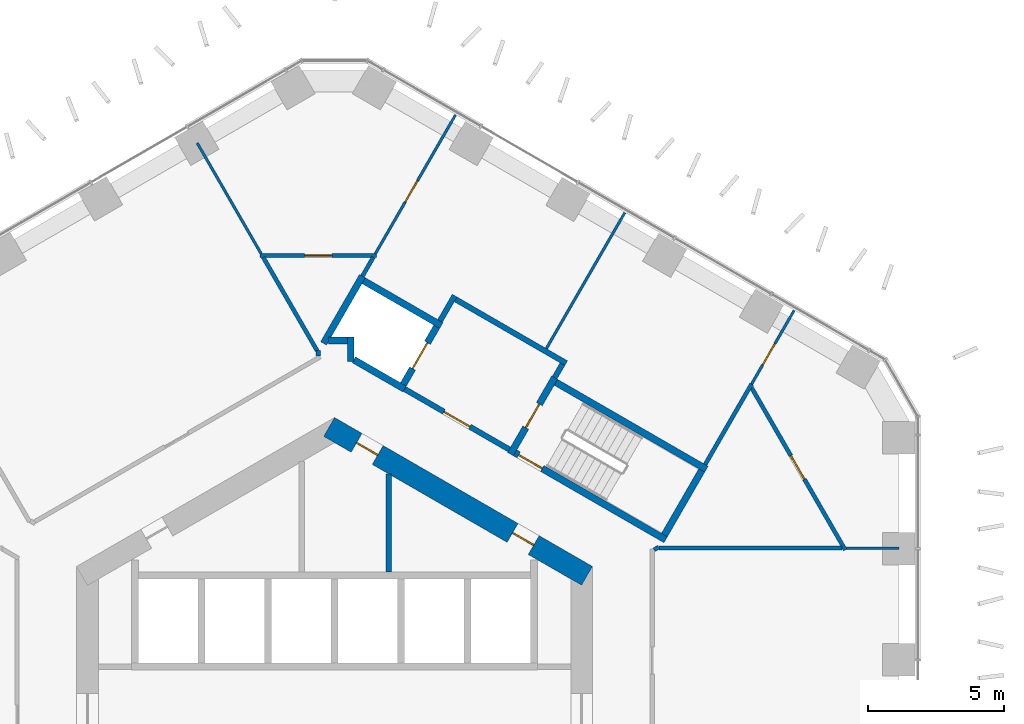
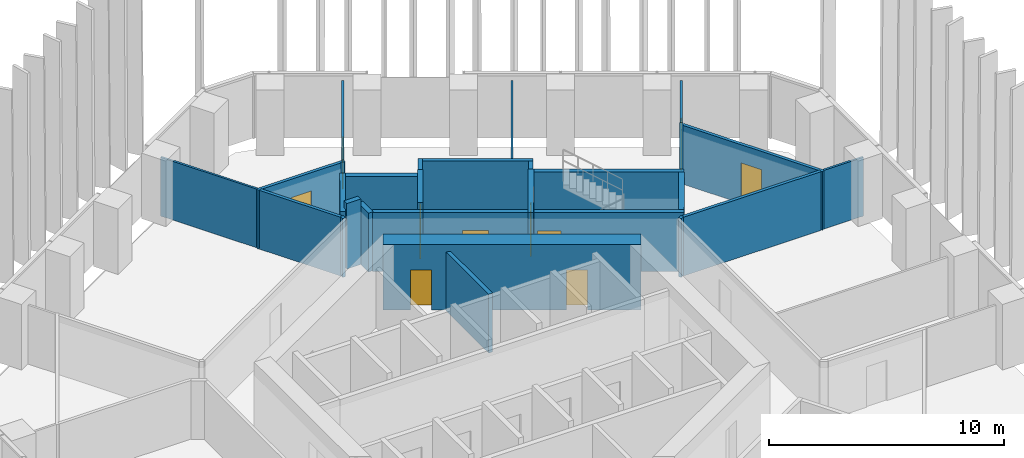
# One storey, part 14 of 18: 29 walls, 10 doors, 10 openings.
"""IFC4 building model written with IfcOpenShell, lengths in metres."""

from ifc_helpers import new_model, si_unit, direction, frame, frame_2d, origin, place, context, subcontext, project, spatial, rectangle, extrude, material, layer, layer_set, type_object, element, fill, save


model = new_model("IFC4")

# Units and contexts
model_context = context("Model", 3, precision=1e-05, world=origin(), true_north=direction((0.0, 1.0)))
body_context = subcontext(model_context, "Body", "Model", "MODEL_VIEW")
ifc_project = project(units=[si_unit("LENGTHUNIT", "METRE"), si_unit("AREAUNIT", "SQUARE_METRE"), si_unit("VOLUMEUNIT", "CUBIC_METRE"), si_unit("PLANEANGLEUNIT", "RADIAN"), si_unit("MASSUNIT", "GRAM", prefix="KILO")], contexts=[model_context])

# Site, building, storey
site_placement = place(None, origin())
site = spatial("IfcSite", under=ifc_project, at=site_placement, CompositionType="ELEMENT")
building_placement = place(site_placement, origin())
building = spatial("IfcBuilding", under=site, at=building_placement, Name="Ayvan Gate Tower", CompositionType="ELEMENT")
storey_placement = place(building_placement, frame((0.0, 0.0, 25.5)))
storey = spatial("IfcBuildingStorey", under=building, at=storey_placement, Name="L05", CompositionType="ELEMENT", Elevation=25.5)

# Wall, openings, doors
ifc_material_1 = material(Name="Concrete C70/85", Category="concrete")
ifc_layer_1 = layer(ifc_material_1, 0.800048828125)
ifc_layer_set_1 = layer_set([ifc_layer_1], Name="Concrete C70/85")
wall_type_1 = type_object("IfcWallType", Name="Core wall 800 C70/85", PredefinedType="SHEAR", material=ifc_layer_set_1)
wall_1_placement = place(storey_placement, frame((9.300048828125, 5.138427734375, 0.0), z_axis=(0.0, 0.0, 1.0), x_axis=(-0.866023993627, 0.500002442456, 0.0)))
wall_1 = element("IfcWall", 1, at=wall_1_placement, inside=storey, type_object=wall_type_1, Name="CORE-L05-1", PredefinedType="SHEAR", context=body_context, shape_type="SweptSolid", body=[
    extrude(rectangle(XDim=10.9697265625, YDim=0.800048828125, at=frame_2d((5.48486328125, 0.0))), origin(), (0.0, 0.0, 1.0), 3.39990234375),
])
opening_1_placement = place(wall_1_placement, frame((8.902587890625, 0.0, 0.0)))
opening_1 = element("IfcOpeningElement", 2, at=opening_1_placement, cuts=wall_1, Name="Opening L05-D31", PredefinedType="OPENING", context=body_context, shape_type="SweptSolid", body=[
    extrude(rectangle(XDim=0.89990234375, YDim=2.10009765625, at=frame_2d((0.449951171875, 1.050048828125))), frame((0.0, 0.409912109375, 0.0), z_axis=(0.0, -1.0, 0.0), x_axis=(1.0, 0.0, 0.0)), (0.0, 0.0, 1.0), 0.820068359375),
])
opening_2_placement = place(wall_1_placement, frame((2.268798828125, 0.0, 0.0)))
opening_2 = element("IfcOpeningElement", 3, at=opening_2_placement, cuts=wall_1, Name="Opening L05-D32", PredefinedType="OPENING", context=body_context, shape_type="SweptSolid", body=[
    extrude(rectangle(XDim=0.89990234375, YDim=2.10009765625, at=frame_2d((0.449951171875, 1.050048828125))), frame((0.0, 0.409912109375, 0.0), z_axis=(0.0, -1.0, 0.0), x_axis=(1.0, 0.0, 0.0)), (0.0, 0.0, 1.0), 0.820068359375),
])
ifc_material_2 = material(Name="Timber door leaf", Category="wood")
door_type_1 = type_object("IfcDoorType", Name="DT-900", OperationType="NOTDEFINED", PredefinedType="DOOR", material=ifc_material_2)
door_1_placement = place(opening_1_placement, origin())
door_1 = element("IfcDoor", 4, at=door_1_placement, inside=storey, type_object=door_type_1, Name="CD-L05-31", OperationType="SINGLE_SWING_RIGHT", OverallHeight=2.10009765625, OverallWidth=0.89990234375, PredefinedType="DOOR", context=body_context, shape_type="SweptSolid", body=[
    extrude(rectangle(XDim=0.89990234375, YDim=2.10009765625, at=frame_2d((0.449951171875, 1.050048828125))), frame((0.0, 0.02490234375, 0.0), z_axis=(0.0, -1.0, 0.0), x_axis=(1.0, 0.0, 0.0)), (0.0, 0.0, 1.0), 0.050048828125),
])
fill(opening_1, door_1)
door_2_placement = place(opening_2_placement, origin())
door_2 = element("IfcDoor", 5, at=door_2_placement, inside=storey, type_object=door_type_1, Name="CD-L05-32", OperationType="SINGLE_SWING_LEFT", OverallHeight=2.10009765625, OverallWidth=0.89990234375, PredefinedType="DOOR", context=body_context, shape_type="SweptSolid", body=[
    extrude(rectangle(XDim=0.89990234375, YDim=2.10009765625, at=frame_2d((0.449951171875, 1.050048828125))), frame((0.0, 0.02490234375, 0.0), z_axis=(0.0, -1.0, 0.0), x_axis=(1.0, 0.0, 0.0)), (0.0, 0.0, 1.0), 0.050048828125),
])
fill(opening_2, door_2)

# Wall, opening, door
ifc_material_3 = material(Name="Plasterboard on steel stud", Category="steel")
ifc_layer_2 = layer(ifc_material_3, 0.14990234375)
ifc_layer_set_2 = layer_set([ifc_layer_2], Name="Plasterboard on steel stud")
wall_type_2 = type_object("IfcWallType", Name="WT-CORR-150", PredefinedType="PARTITIONING", material=ifc_layer_set_2)
wall_2_placement = place(storey_placement, frame((-2.739013671875, 16.935791015625, 0.0), z_axis=(0.0, 0.0, 1.0), x_axis=(1.0, 0.0, 0.0)))
wall_2 = element("IfcWall", 6, at=wall_2_placement, inside=storey, type_object=wall_type_2, Name="IW-L05-040", PredefinedType="PARTITIONING", context=body_context, shape_type="SweptSolid", body=[
    extrude(rectangle(XDim=4.278076171875, YDim=0.14990234375, at=frame_2d((2.13916015625, 0.0))), origin(), (0.0, 0.0, 1.0), 3.050048828125),
])
opening_3_placement = place(wall_2_placement, frame((1.63916015625, 0.0, 0.0)))
opening_3 = element("IfcOpeningElement", 7, at=opening_3_placement, cuts=wall_2, Name="Opening L05-D21", PredefinedType="OPENING", context=body_context, shape_type="SweptSolid", body=[
    extrude(rectangle(XDim=1.0, YDim=2.10009765625, at=frame_2d((0.5, 1.050048828125))), frame((0.0, 0.0849609375, 0.0), z_axis=(0.0, -1.0, 0.0), x_axis=(1.0, 0.0, 0.0)), (0.0, 0.0, 1.0), 0.169921875),
])
door_type_2 = type_object("IfcDoorType", Name="DT-1000", OperationType="NOTDEFINED", PredefinedType="DOOR", material=ifc_material_2)
door_3_placement = place(opening_3_placement, origin())
door_3 = element("IfcDoor", 8, at=door_3_placement, inside=storey, type_object=door_type_2, Name="ID-L05-021", OperationType="SINGLE_SWING_RIGHT", OverallHeight=2.10009765625, OverallWidth=1.0, PredefinedType="DOOR", context=body_context, shape_type="SweptSolid", body=[
    extrude(rectangle(XDim=1.0, YDim=2.10009765625, at=frame_2d((0.5, 1.050048828125))), frame((0.0, 0.02490234375, 0.0), z_axis=(0.0, -1.0, 0.0), x_axis=(1.0, 0.0, 0.0)), (0.0, 0.0, 1.0), 0.050048828125),
])
fill(opening_3, door_3)

# Walls
wall_3_placement = place(storey_placement, frame((-0.60009765625, 13.238525390625, 0.0), z_axis=(0.0, 0.0, 1.0), x_axis=(0.0, 1.0, 0.0)))
element("IfcWall", 9, at=wall_3_placement, inside=storey, type_object=wall_type_2, Name="IW-L05-050", PredefinedType="PARTITIONING", context=body_context, shape_type="SweptSolid", body=[
    extrude(rectangle(XDim=0.197265625, YDim=0.14990234375, at=frame_2d((0.0986328125, 0.0))), origin(), (0.0, 0.0, 1.0), 3.050048828125),
])
wall_4_placement = place(storey_placement, frame((-0.637451171875, 13.42578125, 0.0), z_axis=(0.0, 0.0, 1.0), x_axis=(-0.500046503579, 0.865998553266, 0.0)))
element("IfcWall", 10, at=wall_4_placement, inside=storey, type_object=wall_type_2, Name="IW-L05-051", PredefinedType="PARTITIONING", context=body_context, shape_type="SweptSolid", body=[
    extrude(rectangle(XDim=3.97802734375, YDim=0.14990234375, at=frame_2d((1.989013671875, 0.0))), origin(), (0.0, 0.0, 1.0), 3.050048828125),
])
wall_5_placement = place(storey_placement, frame((1.426513671875, 16.870849609375, 0.0), z_axis=(0.0, 0.0, 1.0), x_axis=(-0.499951716245, -0.866053278629, 0.0)))
element("IfcWall", 11, at=wall_5_placement, inside=storey, type_object=wall_type_2, Name="IW-L05-060", PredefinedType="PARTITIONING", context=body_context, shape_type="SweptSolid", body=[
    extrude(rectangle(XDim=0.798828125, YDim=0.14990234375, at=frame_2d((0.3994140625, 0.0))), origin(), (0.0, 0.0, 1.0), 3.050048828125),
])
wall_6_placement = place(storey_placement, frame((11.935791015625, 6.1982421875, 0.0), z_axis=(0.0, 0.0, 1.0), x_axis=(-0.866103179807, -0.499865263774, 0.0)))
element("IfcWall", 12, at=wall_6_placement, inside=storey, type_object=wall_type_2, Name="IW-L05-098", PredefinedType="PARTITIONING", context=body_context, shape_type="SweptSolid", body=[
    extrude(rectangle(XDim=0.197265625, YDim=0.14990234375, at=frame_2d((0.0986328125, 0.0))), origin(), (0.0, 0.0, 1.0), 3.050048828125),
])
wall_7_placement = place(storey_placement, frame((13.647705078125, 9.23876953125, 0.0), z_axis=(0.0, 0.0, 1.0), x_axis=(0.500000491645, 0.866025119933, 0.0)))
element("IfcWall", 13, at=wall_7_placement, inside=storey, type_object=wall_type_2, Name="IW-L05-101", PredefinedType="PARTITIONING", context=body_context, shape_type="SweptSolid", body=[
    extrude(rectangle(XDim=3.42041015625, YDim=0.14990234375, at=frame_2d((1.710205078125, 0.0))), origin(), (0.0, 0.0, 1.0), 3.050048828125),
])

# Wall, opening, door
wall_8_placement = place(storey_placement, frame((15.35791015625, 12.07080078125, 0.0), z_axis=(0.0, 0.0, 1.0), x_axis=(0.500024667842, -0.866011161331, 0.0)))
wall_8 = element("IfcWall", 14, at=wall_8_placement, inside=storey, type_object=wall_type_2, Name="IW-L05-104", PredefinedType="PARTITIONING", context=body_context, shape_type="SweptSolid", body=[
    extrude(rectangle(XDim=6.899658203125, YDim=0.14990234375, at=frame_2d((3.44970703125, 0.0))), origin(), (0.0, 0.0, 1.0), 3.050048828125),
])
opening_4_placement = place(wall_8_placement, frame((2.89501953125, 0.0, 0.0)))
opening_4 = element("IfcOpeningElement", 15, at=opening_4_placement, cuts=wall_8, Name="Opening L05-D19", PredefinedType="OPENING", context=body_context, shape_type="SweptSolid", body=[
    extrude(rectangle(XDim=1.0, YDim=2.10009765625, at=frame_2d((0.5, 1.050048828125))), frame((0.0, 0.0849609375, 0.0), z_axis=(0.0, -1.0, 0.0), x_axis=(1.0, 0.0, 0.0)), (0.0, 0.0, 1.0), 0.169921875),
])
door_4_placement = place(opening_4_placement, origin())
door_4 = element("IfcDoor", 16, at=door_4_placement, inside=storey, type_object=door_type_2, Name="ID-L05-019", OperationType="SINGLE_SWING_RIGHT", OverallHeight=2.10009765625, OverallWidth=1.0, PredefinedType="DOOR", context=body_context, shape_type="SweptSolid", body=[
    extrude(rectangle(XDim=1.0, YDim=2.10009765625, at=frame_2d((0.5, 1.050048828125))), frame((0.0, 0.02490234375, 0.0), z_axis=(0.0, -1.0, 0.0), x_axis=(1.0, 0.0, 0.0)), (0.0, 0.0, 1.0), 0.050048828125),
])
fill(opening_4, door_4)

# Walls
wall_9_placement = place(storey_placement, frame((18.6953125, 6.160888671875, 0.0), z_axis=(0.0, 0.0, 1.0), x_axis=(-1.0, 0.0, 0.0)))
element("IfcWall", 17, at=wall_9_placement, inside=storey, type_object=wall_type_2, Name="IW-L05-107", PredefinedType="PARTITIONING", context=body_context, shape_type="SweptSolid", body=[
    extrude(rectangle(XDim=6.74951171875, YDim=0.14990234375, at=frame_2d((3.374755859375, 0.0))), origin(), (0.0, 0.0, 1.0), 3.050048828125),
])
ifc_layer_3 = layer(ifc_material_3, 0.10009765625)
ifc_layer_set_3 = layer_set([ifc_layer_3], Name="Plasterboard on steel stud")
wall_type_3 = type_object("IfcWallType", Name="WT-PART-100", PredefinedType="PARTITIONING", material=ifc_layer_set_3)
wall_10_placement = place(storey_placement, frame((-2.70166015625, 17.0009765625, 0.0), z_axis=(0.0, 0.0, 1.0), x_axis=(-0.500002112793, 0.866024183959, 0.0)))
element("IfcWall", 18, at=wall_10_placement, inside=storey, type_object=wall_type_3, Name="IW-L05-039", PredefinedType="PARTITIONING", context=body_context, shape_type="SweptSolid", body=[
    extrude(rectangle(XDim=4.71044921875, YDim=0.10009765625, at=frame_2d((2.355224609375, 0.0))), origin(), (0.0, 0.0, 1.0), 3.050048828125),
])

# Wall, opening, door
wall_11_placement = place(storey_placement, frame((4.454833984375, 22.1162109375, 0.0), z_axis=(0.0, 0.0, 1.0), x_axis=(-0.499980071345, -0.866036909293, 0.0)))
wall_11 = element("IfcWall", 19, at=wall_11_placement, inside=storey, type_object=wall_type_3, Name="IW-L05-071", PredefinedType="PARTITIONING", context=body_context, shape_type="SweptSolid", body=[
    extrude(rectangle(XDim=5.906494140625, YDim=0.10009765625, at=frame_2d((2.953125, 0.0))), origin(), (0.0, 0.0, 1.0), 3.050048828125),
])
opening_5_placement = place(wall_11_placement, frame((2.80126953125, 0.0, 0.0)))
opening_5 = element("IfcOpeningElement", 20, at=opening_5_placement, cuts=wall_11, Name="Opening L05-D22", PredefinedType="OPENING", context=body_context, shape_type="SweptSolid", body=[
    extrude(rectangle(XDim=0.89990234375, YDim=2.10009765625, at=frame_2d((0.449951171875, 1.050048828125))), frame((0.0, 0.06005859375, 0.0), z_axis=(0.0, -1.0, 0.0), x_axis=(1.0, 0.0, 0.0)), (0.0, 0.0, 1.0), 0.1201171875),
])
door_5_placement = place(opening_5_placement, origin())
door_5 = element("IfcDoor", 21, at=door_5_placement, inside=storey, type_object=door_type_1, Name="ID-L05-022", OperationType="SINGLE_SWING_LEFT", OverallHeight=2.10009765625, OverallWidth=0.89990234375, PredefinedType="DOOR", context=body_context, shape_type="SweptSolid", body=[
    extrude(rectangle(XDim=0.89990234375, YDim=2.10009765625, at=frame_2d((0.449951171875, 1.050048828125))), frame((0.0, 0.02490234375, 0.0), z_axis=(0.0, -1.0, 0.0), x_axis=(1.0, 0.0, 0.0)), (0.0, 0.0, 1.0), 0.050048828125),
])
fill(opening_5, door_5)

# Wall
wall_12_placement = place(storey_placement, frame((7.800048828125, 13.510009765625, 0.0), z_axis=(0.0, 0.0, 1.0), x_axis=(0.499982030767, 0.866035778077, 0.0)))
element("IfcWall", 22, at=wall_12_placement, inside=storey, type_object=wall_type_3, Name="IW-L05-083", PredefinedType="PARTITIONING", context=body_context, shape_type="SweptSolid", body=[
    extrude(rectangle(XDim=5.780517578125, YDim=0.10009765625, at=frame_2d((2.89013671875, 0.0))), origin(), (0.0, 0.0, 1.0), 3.050048828125),
])

# Wall, opening, door
wall_13_placement = place(storey_placement, frame((15.35791015625, 12.200927734375, 0.0), z_axis=(0.0, 0.0, 1.0), x_axis=(0.500041479787, 0.866001454094, 0.0)))
wall_13 = element("IfcWall", 23, at=wall_13_placement, inside=storey, type_object=wall_type_3, Name="IW-L05-103", PredefinedType="PARTITIONING", context=body_context, shape_type="SweptSolid", body=[
    extrude(rectangle(XDim=3.135498046875, YDim=0.10009765625, at=frame_2d((1.56787109375, 0.0))), origin(), (0.0, 0.0, 1.0), 3.050048828125),
])
opening_6_placement = place(wall_13_placement, frame((0.819580078125, 0.0, 0.0)))
opening_6 = element("IfcOpeningElement", 24, at=opening_6_placement, cuts=wall_13, Name="Opening L05-D20", PredefinedType="OPENING", context=body_context, shape_type="SweptSolid", body=[
    extrude(rectangle(XDim=0.89990234375, YDim=2.10009765625, at=frame_2d((0.449951171875, 1.050048828125))), frame((0.0, 0.06005859375, 0.0), z_axis=(0.0, -1.0, 0.0), x_axis=(1.0, 0.0, 0.0)), (0.0, 0.0, 1.0), 0.1201171875),
])
door_6_placement = place(opening_6_placement, origin())
door_6 = element("IfcDoor", 25, at=door_6_placement, inside=storey, type_object=door_type_1, Name="ID-L05-020", OperationType="SINGLE_SWING_LEFT", OverallHeight=2.10009765625, OverallWidth=0.89990234375, PredefinedType="DOOR", context=body_context, shape_type="SweptSolid", body=[
    extrude(rectangle(XDim=0.89990234375, YDim=2.10009765625, at=frame_2d((0.449951171875, 1.050048828125))), frame((0.0, 0.02490234375, 0.0), z_axis=(0.0, -1.0, 0.0), x_axis=(1.0, 0.0, 0.0)), (0.0, 0.0, 1.0), 0.050048828125),
])
fill(opening_6, door_6)

# Walls
wall_14_placement = place(storey_placement, frame((18.84521484375, 6.160888671875, 0.0), z_axis=(0.0, 0.0, 1.0), x_axis=(1.0, 0.0, 0.0)))
element("IfcWall", 26, at=wall_14_placement, inside=storey, type_object=wall_type_3, Name="IW-L05-106", PredefinedType="PARTITIONING", context=body_context, shape_type="SweptSolid", body=[
    extrude(rectangle(XDim=1.939453125, YDim=0.10009765625, at=frame_2d((0.9697265625, 0.0))), origin(), (0.0, 0.0, 1.0), 3.050048828125),
])
ifc_layer_4 = layer(ifc_material_3, 0.199951171875)
ifc_layer_set_4 = layer_set([ifc_layer_4], Name="Plasterboard on steel stud")
wall_type_4 = type_object("IfcWallType", Name="WT-RATED-200", PredefinedType="PARTITIONING", material=ifc_layer_set_4)
wall_15_placement = place(storey_placement, frame((2.0, 8.89111328125, 0.0), z_axis=(0.0, 0.0, 1.0), x_axis=(0.0, -1.0, 0.0)))
element("IfcWall", 27, at=wall_15_placement, inside=storey, type_object=wall_type_4, Name="IW-L05-062", PredefinedType="PARTITIONING", context=body_context, shape_type="SweptSolid", body=[
    extrude(rectangle(XDim=3.6162109375, YDim=0.199951171875, at=frame_2d((1.80810546875, 0.0))), origin(), (0.0, 0.0, 1.0), 3.050048828125),
])
wall_16_placement = place(storey_placement, frame((3.885009765625, 14.52880859375, 0.0), z_axis=(0.0, 0.0, 1.0), x_axis=(0.499997628298, 0.866026773083, 0.0)))
element("IfcWall", 28, at=wall_16_placement, inside=storey, type_object=wall_type_4, Name="IW-L05-069", PredefinedType="PARTITIONING", context=body_context, shape_type="SweptSolid", body=[
    extrude(rectangle(XDim=1.0751953125, YDim=0.199951171875, at=frame_2d((0.53759765625, 0.0))), origin(), (0.0, 0.0, 1.0), 3.050048828125),
])
wall_17_placement = place(storey_placement, frame((4.458984375, 15.323486328125, 0.0), z_axis=(0.0, 0.0, 1.0), x_axis=(0.866016039709, -0.500016218704, 0.0)))
element("IfcWall", 29, at=wall_17_placement, inside=storey, type_object=wall_type_4, Name="IW-L05-072", PredefinedType="PARTITIONING", context=body_context, shape_type="SweptSolid", body=[
    extrude(rectangle(XDim=4.699951171875, YDim=0.199951171875, at=frame_2d((2.35009765625, 0.0))), origin(), (0.0, 0.0, 1.0), 3.050048828125),
])

# Wall, opening, door
wall_18_placement = place(storey_placement, frame((6.4345703125, 9.794921875, 0.0), z_axis=(0.0, 0.0, 1.0), x_axis=(-0.866012907634, 0.500021643343, 0.0)))
wall_18 = element("IfcWall", 30, at=wall_18_placement, inside=storey, type_object=wall_type_4, Name="IW-L05-075", PredefinedType="PARTITIONING", context=body_context, shape_type="SweptSolid", body=[
    extrude(rectangle(XDim=4.449951171875, YDim=0.199951171875, at=frame_2d((2.22509765625, 0.0))), origin(), (0.0, 0.0, 1.0), 3.050048828125),
])
opening_7_placement = place(wall_18_placement, frame((1.675048828125, 0.0, 0.0)))
opening_7 = element("IfcOpeningElement", 31, at=opening_7_placement, cuts=wall_18, Name="Opening L05-D08", PredefinedType="OPENING", context=body_context, shape_type="SweptSolid", body=[
    extrude(rectangle(XDim=1.10009765625, YDim=2.10009765625, at=frame_2d((0.550048828125, 1.050048828125))), frame((0.0, 0.10986328125, 0.0), z_axis=(0.0, -1.0, 0.0), x_axis=(1.0, 0.0, 0.0)), (0.0, 0.0, 1.0), 0.219970703125),
])
door_type_3 = type_object("IfcDoorType", Name="DT-1100", OperationType="NOTDEFINED", PredefinedType="DOOR", material=ifc_material_2)
door_7_placement = place(opening_7_placement, origin())
door_7 = element("IfcDoor", 32, at=door_7_placement, inside=storey, type_object=door_type_3, Name="ID-L05-008", OperationType="SINGLE_SWING_LEFT", OverallHeight=2.10009765625, OverallWidth=1.10009765625, PredefinedType="DOOR", context=body_context, shape_type="SweptSolid", body=[
    extrude(rectangle(XDim=1.10009765625, YDim=2.10009765625, at=frame_2d((0.550048828125, 1.050048828125))), frame((0.0, 0.02490234375, 0.0), z_axis=(0.0, -1.0, 0.0), x_axis=(1.0, 0.0, 0.0)), (0.0, 0.0, 1.0), 0.050048828125),
])
fill(opening_7, door_7)

# Walls
wall_19_placement = place(storey_placement, frame((8.392822265625, 12.936767578125, 0.0), z_axis=(0.0, 0.0, 1.0), x_axis=(-0.500065409566, -0.86598763626, 0.0)))
element("IfcWall", 33, at=wall_19_placement, inside=storey, type_object=wall_type_4, Name="IW-L05-085", PredefinedType="PARTITIONING", context=body_context, shape_type="SweptSolid", body=[
    extrude(rectangle(XDim=0.5751953125, YDim=0.199951171875, at=frame_2d((0.28759765625, 0.0))), origin(), (0.0, 0.0, 1.0), 3.050048828125),
])
ifc_material_4 = material(Name="Concrete C50/60", Category="concrete")
ifc_layer_5 = layer(ifc_material_4, 0.25)
ifc_layer_set_5 = layer_set([ifc_layer_5], Name="Concrete C50/60")
wall_type_5 = type_object("IfcWallType", Name="WT-RC-250", PredefinedType="SHEAR", material=ifc_layer_set_5)
wall_20_placement = place(storey_placement, frame((-0.403076171875, 13.70166015625, 0.0), z_axis=(0.0, 0.0, 1.0), x_axis=(0.499976111731, 0.866039195244, 0.0)))
element("IfcWall", 34, at=wall_20_placement, inside=storey, type_object=wall_type_5, Name="IW-L05-052", PredefinedType="SHEAR", context=body_context, shape_type="SweptSolid", body=[
    extrude(rectangle(XDim=2.860595703125, YDim=0.25, at=frame_2d((1.43017578125, 0.0))), origin(), (0.0, 0.0, 1.0), 3.050048828125),
])
wall_21_placement = place(storey_placement, frame((0.60009765625, 13.03857421875, 0.0), z_axis=(0.0, 0.0, 1.0), x_axis=(0.0, 1.0, 0.0)))
element("IfcWall", 35, at=wall_21_placement, inside=storey, type_object=wall_type_5, Name="IW-L05-056", PredefinedType="SHEAR", context=body_context, shape_type="SweptSolid", body=[
    extrude(rectangle(XDim=0.896484375, YDim=0.25, at=frame_2d((0.4482421875, 0.0))), origin(), (0.0, 0.0, 1.0), 3.050048828125),
])
wall_22_placement = place(storey_placement, frame((0.47509765625, 13.81005859375, 0.0), z_axis=(0.0, 0.0, 1.0), x_axis=(-1.0, 0.0, 0.0)))
element("IfcWall", 36, at=wall_22_placement, inside=storey, type_object=wall_type_5, Name="IW-L05-057", PredefinedType="SHEAR", context=body_context, shape_type="SweptSolid", body=[
    extrude(rectangle(XDim=0.690673828125, YDim=0.25, at=frame_2d((0.34521484375, 0.0))), origin(), (0.0, 0.0, 1.0), 3.39990234375),
])
wall_23_placement = place(storey_placement, frame((1.072998046875, 16.00830078125, 0.0), z_axis=(0.0, 0.0, 1.0), x_axis=(0.866040211805, -0.499974350878, 0.0)))
element("IfcWall", 37, at=wall_23_placement, inside=storey, type_object=wall_type_5, Name="IW-L05-058", PredefinedType="SHEAR", context=body_context, shape_type="SweptSolid", body=[
    extrude(rectangle(XDim=3.300048828125, YDim=0.25, at=frame_2d((1.64990234375, 0.0))), origin(), (0.0, 0.0, 1.0), 3.050048828125),
])
wall_24_placement = place(storey_placement, frame((2.580810546875, 12.02001953125, 0.0), z_axis=(0.0, 0.0, 1.0), x_axis=(-0.86603892542, 0.499976579108, 0.0)))
element("IfcWall", 38, at=wall_24_placement, inside=storey, type_object=wall_type_5, Name="IW-L05-065", PredefinedType="SHEAR", context=body_context, shape_type="SweptSolid", body=[
    extrude(rectangle(XDim=2.162109375, YDim=0.25, at=frame_2d((1.0810546875, 0.0))), origin(), (0.0, 0.0, 1.0), 3.050048828125),
])

# Wall, opening, door
wall_25_placement = place(storey_placement, frame((2.534912109375, 12.19091796875, 0.0), z_axis=(0.0, 0.0, 1.0), x_axis=(0.500061746146, 0.865989751695, 0.0)))
wall_25 = element("IfcWall", 39, at=wall_25_placement, inside=storey, type_object=wall_type_5, Name="IW-L05-066", PredefinedType="SHEAR", context=body_context, shape_type="SweptSolid", body=[
    extrude(rectangle(XDim=2.449951171875, YDim=0.25, at=frame_2d((1.22509765625, 0.0))), origin(), (0.0, 0.0, 1.0), 3.39990234375),
])
opening_8_placement = place(wall_25_placement, frame((0.675048828125, 0.0, 0.0)))
opening_8 = element("IfcOpeningElement", 40, at=opening_8_placement, cuts=wall_25, Name="Opening L05-LD-FF1", PredefinedType="OPENING", context=body_context, shape_type="SweptSolid", body=[
    extrude(rectangle(XDim=1.10009765625, YDim=2.10009765625, at=frame_2d((0.550048828125, 1.050048828125))), frame((0.0, 0.135009765625, 0.0), z_axis=(0.0, -1.0, 0.0), x_axis=(1.0, 0.0, 0.0)), (0.0, 0.0, 1.0), 0.27001953125),
])
ifc_material_5 = material(Name="Stainless steel landing door", Category="steel")
door_type_4 = type_object("IfcDoorType", Name="DT-LANDING-1100", OperationType="SLIDING_TO_LEFT", PredefinedType="DOOR", material=ifc_material_5)
door_8_placement = place(opening_8_placement, origin())
door_8 = element("IfcDoor", 41, at=door_8_placement, inside=storey, type_object=door_type_4, Name="ID-L05-009", OperationType="SLIDING_TO_LEFT", OverallHeight=2.10009765625, OverallWidth=1.10009765625, PredefinedType="DOOR", context=body_context, shape_type="SweptSolid", body=[
    extrude(rectangle(XDim=1.10009765625, YDim=2.10009765625, at=frame_2d((0.550048828125, 1.050048828125))), frame((0.0, 0.02490234375, 0.0), z_axis=(0.0, -1.0, 0.0), x_axis=(1.0, 0.0, 0.0)), (0.0, 0.0, 1.0), 0.050048828125),
])
fill(opening_8, door_8)

wall_26_placement = place(storey_placement, frame((6.480224609375, 9.624267578125, 0.0), z_axis=(0.0, 0.0, 1.0), x_axis=(0.500017246033, 0.866015446554, 0.0)))
wall_26 = element("IfcWall", 42, at=wall_26_placement, inside=storey, type_object=wall_type_5, Name="IW-L05-076", PredefinedType="SHEAR", context=body_context, shape_type="SweptSolid", body=[
    extrude(rectangle(XDim=3.25, YDim=0.25, at=frame_2d((1.625, 0.0))), origin(), (0.0, 0.0, 1.0), 3.050048828125),
])
opening_9_placement = place(wall_26_placement, frame((1.125, 0.0, 0.0)))
opening_9 = element("IfcOpeningElement", 43, at=opening_9_placement, cuts=wall_26, Name="Opening L05-D07", PredefinedType="OPENING", context=body_context, shape_type="SweptSolid", body=[
    extrude(rectangle(XDim=1.0, YDim=2.10009765625, at=frame_2d((0.5, 1.050048828125))), frame((0.0, 0.135009765625, 0.0), z_axis=(0.0, -1.0, 0.0), x_axis=(1.0, 0.0, 0.0)), (0.0, 0.0, 1.0), 0.27001953125),
])
door_9_placement = place(opening_9_placement, origin())
door_9 = element("IfcDoor", 44, at=door_9_placement, inside=storey, type_object=door_type_2, Name="ID-L05-007", OperationType="SINGLE_SWING_RIGHT", OverallHeight=2.10009765625, OverallWidth=1.0, PredefinedType="DOOR", context=body_context, shape_type="SweptSolid", body=[
    extrude(rectangle(XDim=1.0, YDim=2.10009765625, at=frame_2d((0.5, 1.050048828125))), frame((0.0, 0.02490234375, 0.0), z_axis=(0.0, -1.0, 0.0), x_axis=(1.0, 0.0, 0.0)), (0.0, 0.0, 1.0), 0.050048828125),
])
fill(opening_9, door_9)

# Wall
wall_27_placement = place(storey_placement, frame((8.151123046875, 12.26806640625, 0.0), z_axis=(0.0, 0.0, 1.0), x_axis=(0.866025499775, -0.499999833739, 0.0)))
element("IfcWall", 45, at=wall_27_placement, inside=storey, type_object=wall_type_5, Name="IW-L05-084", PredefinedType="SHEAR", context=body_context, shape_type="SweptSolid", body=[
    extrude(rectangle(XDim=6.39990234375, YDim=0.25, at=frame_2d((3.199951171875, 0.0))), origin(), (0.0, 0.0, 1.0), 3.050048828125),
])

# Wall, opening, door
wall_28_placement = place(storey_placement, frame((12.193603515625, 6.469970703125, 0.0), z_axis=(0.0, 0.0, 1.0), x_axis=(-0.866025499775, 0.499999833739, 0.0)))
wall_28 = element("IfcWall", 46, at=wall_28_placement, inside=storey, type_object=wall_type_5, Name="IW-L05-099", PredefinedType="SHEAR", context=body_context, shape_type="SweptSolid", body=[
    extrude(rectangle(XDim=6.39990234375, YDim=0.25, at=frame_2d((3.199951171875, 0.0))), origin(), (0.0, 0.0, 1.0), 3.050048828125),
])
opening_10_placement = place(wall_28_placement, frame((5.25, 0.0, 0.0)))
opening_10 = element("IfcOpeningElement", 47, at=opening_10_placement, cuts=wall_28, Name="Opening L05-D06", PredefinedType="OPENING", context=body_context, shape_type="SweptSolid", body=[
    extrude(rectangle(XDim=1.0, YDim=2.10009765625, at=frame_2d((0.5, 1.050048828125))), frame((0.0, 0.135009765625, 0.0), z_axis=(0.0, -1.0, 0.0), x_axis=(1.0, 0.0, 0.0)), (0.0, 0.0, 1.0), 0.27001953125),
])
door_10_placement = place(opening_10_placement, origin())
door_10 = element("IfcDoor", 48, at=door_10_placement, inside=storey, type_object=door_type_2, Name="ID-L05-006", OperationType="SINGLE_SWING_LEFT", OverallHeight=2.10009765625, OverallWidth=1.0, PredefinedType="DOOR", context=body_context, shape_type="SweptSolid", body=[
    extrude(rectangle(XDim=1.0, YDim=2.10009765625, at=frame_2d((0.5, 1.050048828125))), frame((0.0, 0.02490234375, 0.0), z_axis=(0.0, -1.0, 0.0), x_axis=(1.0, 0.0, 0.0)), (0.0, 0.0, 1.0), 0.050048828125),
])
fill(opening_10, door_10)

# Wall
wall_29_placement = place(storey_placement, frame((13.52294921875, 9.022216796875, 0.0), z_axis=(0.0, 0.0, 1.0), x_axis=(-0.500034990121, -0.866005201286, 0.0)))
element("IfcWall", 49, at=wall_29_placement, inside=storey, type_object=wall_type_5, Name="IW-L05-102", PredefinedType="SHEAR", context=body_context, shape_type="SweptSolid", body=[
    extrude(rectangle(XDim=2.749755859375, YDim=0.25, at=frame_2d((1.375, 0.0))), origin(), (0.0, 0.0, 1.0), 3.050048828125),
])

save(model, "model.ifc")
